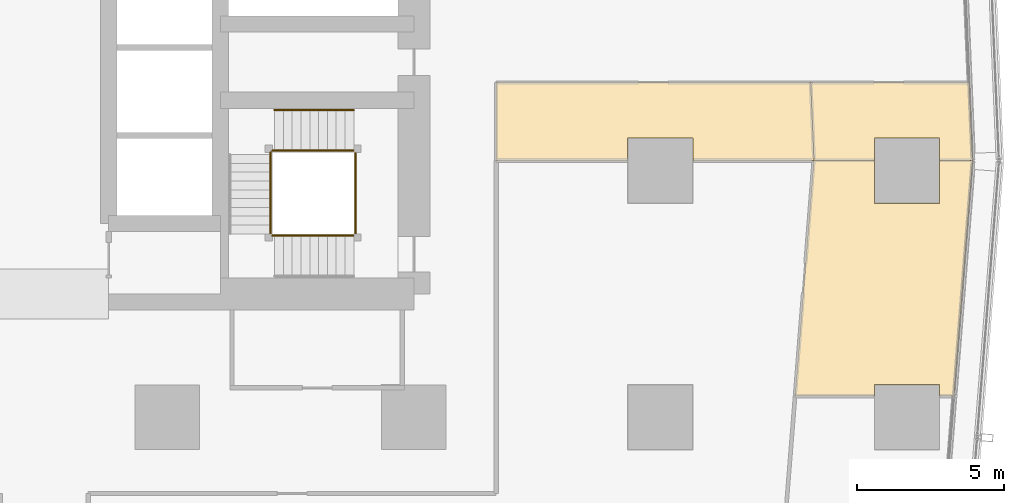
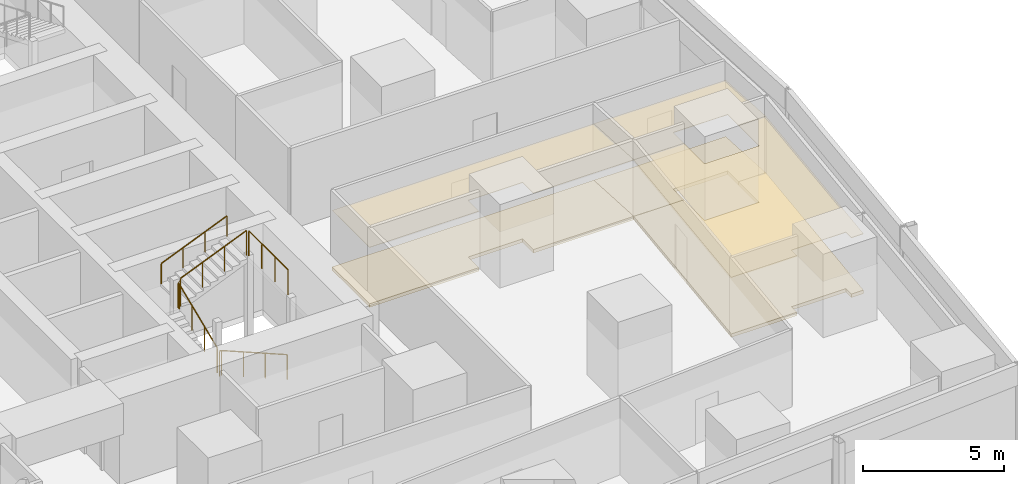
# One storey, part 39 of 44: 8 railings, 6 coverings.
"""IFC4 building model written with IfcOpenShell, lengths in metres."""

from ifc_helpers import new_model, si_unit, direction, frame, origin, origin_2d, place, context, subcontext, project, spatial, polyline, circle, outline, extrude, material, layer, layer_set, type_object, element, save


model = new_model("IFC4")

# Units and contexts
model_context = context("Model", 3, precision=1e-05, world=origin(), true_north=direction((0.0, 1.0)))
body_context = subcontext(model_context, "Body", "Model", "MODEL_VIEW")
ifc_project = project(units=[si_unit("LENGTHUNIT", "METRE"), si_unit("AREAUNIT", "SQUARE_METRE"), si_unit("VOLUMEUNIT", "CUBIC_METRE"), si_unit("PLANEANGLEUNIT", "RADIAN"), si_unit("MASSUNIT", "GRAM", prefix="KILO")], contexts=[model_context])

# Site, building, storey
site_placement = place(None, origin())
site = spatial("IfcSite", under=ifc_project, at=site_placement, CompositionType="ELEMENT")
building_placement = place(site_placement, origin())
building = spatial("IfcBuilding", under=site, at=building_placement, Name="Rekha Terrace Tower", CompositionType="ELEMENT")
storey_placement = place(building_placement, frame((0.0, 0.0, 66.64990234375)))
storey = spatial("IfcBuildingStorey", under=building, at=storey_placement, Name="L16", CompositionType="ELEMENT", Elevation=66.64990234375)

# Coverings
ifc_material_1 = material(Name="Mineral fibre tile in exposed grid", Category="finish")
ifc_layer_1 = layer(ifc_material_1, 0.02001953125)
ifc_layer_set_1 = layer_set([ifc_layer_1], Name="Mineral fibre tile in exposed grid")
covering_type_1 = type_object("IfcCoveringType", Name="CL1 600x1200 office grid ceiling", PredefinedType="CEILING", material=ifc_layer_set_1)
covering_1_placement = place(storey_placement, frame((0.0, 0.0, 2.580078125)))
element("IfcCovering", 1, at=covering_1_placement, inside=storey, type_object=covering_type_1, Name="Ceiling L16-05", PredefinedType="CEILING", context=body_context, shape_type="SweptSolid", body=[
    extrude(outline(polyline([(68.31494140625, 17.9150390625), (68.31494140625, 17.52392578125), (68.803955078125, 17.52392578125), (69.44091796875, 25.551025390625), (68.31494140625, 25.551025390625), (68.31494140625, 24.0849609375), (66.0849609375, 24.0849609375), (66.0849609375, 25.551025390625), (64.02392578125, 25.551025390625), (63.386962890625, 17.52392578125), (66.0849609375, 17.52392578125), (66.0849609375, 17.9150390625), (68.31494140625, 17.9150390625)])), origin(), (0.0, 0.0, 1.0), 0.02001953125),
])
covering_2_placement = place(storey_placement, frame((0.0, 0.0, 2.580078125)))
element("IfcCovering", 2, at=covering_2_placement, inside=storey, type_object=covering_type_1, Name="Ceiling L16-23", PredefinedType="CEILING", context=body_context, shape_type="SweptSolid", body=[
    extrude(outline(polyline([(69.43701171875, 25.552001953125), (69.322998046875, 28.199951171875), (63.9189453125, 28.199951171875), (64.031982421875, 25.552001953125), (66.0849609375, 25.552001953125), (66.0849609375, 26.31494140625), (68.31494140625, 26.31494140625), (68.31494140625, 25.552001953125), (69.43701171875, 25.552001953125)])), origin(), (0.0, 0.0, 1.0), 0.02001953125),
])
covering_3_placement = place(storey_placement, frame((0.0, 0.0, 2.580078125)))
element("IfcCovering", 3, at=covering_3_placement, inside=storey, type_object=covering_type_1, Name="Ceiling L16-24", PredefinedType="CEILING", context=body_context, shape_type="SweptSolid", body=[
    extrude(outline(polyline([(59.9150390625, 26.31494140625), (59.9150390625, 25.552001953125), (64.031982421875, 25.552001953125), (63.9189453125, 28.199951171875), (53.199951171875, 28.199951171875), (53.199951171875, 25.552001953125), (57.68505859375, 25.552001953125), (57.68505859375, 26.31494140625), (59.9150390625, 26.31494140625)])), origin(), (0.0, 0.0, 1.0), 0.02001953125),
])

# Railings
ifc_material_2 = material(Name="Stainless steel balustrade", Category="steel")
railing_type_1 = type_object("IfcRailingType", Name="GR1 1100 stair guard", PredefinedType="GUARDRAIL", material=ifc_material_2)
railing_1_placement = place(storey_placement, frame((48.35009765625, 22.989990234375, 0.125)))
element("IfcRailing", 4, at=railing_1_placement, inside=storey, type_object=railing_type_1, Name="Guard ST3 L16 flight 1", PredefinedType="GUARDRAIL", context=body_context, shape_type="SweptSolid", body=[
    extrude(circle(Radius=0.02392578125, at=origin_2d()), frame((0.0, 0.0, 1.076171875), z_axis=(-0.923086799901, 0.0, 0.38459167938), x_axis=(0.0, -1.0, 0.0)), (0.0, 0.0, 1.0), 2.92529296875),
    extrude(circle(Radius=0.02099609375, at=origin_2d()), origin(), (0.0, 0.0, 1.0), 1.052001953125),
    extrude(circle(Radius=0.02099609375, at=origin_2d()), frame((-0.900146484375, 0.0, 0.375)), (0.0, 0.0, 1.0), 1.052001953125),
    extrude(circle(Radius=0.02099609375, at=origin_2d()), frame((-1.800048828125, 0.0, 0.75)), (0.0, 0.0, 1.0), 1.052001953125),
    extrude(circle(Radius=0.02099609375, at=origin_2d()), frame((-2.7001953125, 0.0, 1.125)), (0.0, 0.0, 1.0), 1.052001953125),
])
railing_2_placement = place(storey_placement, frame((45.514892578125, 23.050048828125, 1.375)))
element("IfcRailing", 5, at=railing_2_placement, inside=storey, type_object=railing_type_1, Name="Guard ST3 L16 flight 2", PredefinedType="GUARDRAIL", context=body_context, shape_type="SweptSolid", body=[
    extrude(circle(Radius=0.02392578125, at=origin_2d()), frame((0.0, 0.0, 1.076171875), z_axis=(0.0, 0.923074453586, 0.384621311341), x_axis=(-1.0, 0.0, 0.0)), (0.0, 0.0, 1.0), 2.925048828125),
    extrude(circle(Radius=0.02099609375, at=origin_2d()), origin(), (0.0, 0.0, 1.0), 1.052001953125),
    extrude(circle(Radius=0.02099609375, at=origin_2d()), frame((0.0, 0.89990234375, 0.375)), (0.0, 0.0, 1.0), 1.052001953125),
    extrude(circle(Radius=0.02099609375, at=origin_2d()), frame((0.0, 1.800048828125, 0.75)), (0.0, 0.0, 1.0), 1.052001953125),
    extrude(circle(Radius=0.02099609375, at=origin_2d()), frame((0.0, 2.699951171875, 1.125)), (0.0, 0.0, 1.0), 1.052001953125),
])
railing_3_placement = place(storey_placement, frame((45.64990234375, 25.885009765625, 2.625)))
element("IfcRailing", 6, at=railing_3_placement, inside=storey, type_object=railing_type_1, Name="Guard ST3 L16 flight 3", PredefinedType="GUARDRAIL", context=body_context, shape_type="SweptSolid", body=[
    extrude(circle(Radius=0.02392578125, at=origin_2d()), frame((0.0, 0.0, 1.076171875), z_axis=(0.923086799901, 0.0, 0.38459167938), x_axis=(0.0, 1.0, 0.0)), (0.0, 0.0, 1.0), 2.92529296875),
    extrude(circle(Radius=0.02099609375, at=origin_2d()), origin(), (0.0, 0.0, 1.0), 1.052001953125),
    extrude(circle(Radius=0.02099609375, at=origin_2d()), frame((0.900146484375, 0.0, 0.375)), (0.0, 0.0, 1.0), 1.052001953125),
    extrude(circle(Radius=0.02099609375, at=origin_2d()), frame((1.800048828125, 0.0, 0.75)), (0.0, 0.0, 1.0), 1.052001953125),
    extrude(circle(Radius=0.02099609375, at=origin_2d()), frame((2.7001953125, 0.0, 1.125)), (0.0, 0.0, 1.0), 1.052001953125),
])
railing_4_placement = place(storey_placement, frame((45.64990234375, 22.989990234375, 1.25)))
element("IfcRailing", 7, at=railing_4_placement, inside=storey, type_object=railing_type_1, Name="Guard ST3 L16 landing 1", PredefinedType="GUARDRAIL", context=body_context, shape_type="SweptSolid", body=[
    extrude(circle(Radius=0.02392578125, at=origin_2d()), frame((0.0, 0.0, 1.076171875), z_axis=(-1.0, 0.0, 0.0), x_axis=(0.0, -1.0, 0.0)), (0.0, 0.0, 1.0), 0.074951171875),
    extrude(circle(Radius=0.02099609375, at=origin_2d()), origin(), (0.0, 0.0, 1.0), 1.052001953125),
    extrude(circle(Radius=0.02099609375, at=origin_2d()), frame((-0.074951171875, 0.0, 0.0)), (0.0, 0.0, 1.0), 1.052001953125),
])
railing_5_placement = place(storey_placement, frame((45.514892578125, 25.75, 2.5)))
element("IfcRailing", 8, at=railing_5_placement, inside=storey, type_object=railing_type_1, Name="Guard ST3 L16 landing 2", PredefinedType="GUARDRAIL", context=body_context, shape_type="SweptSolid", body=[
    extrude(circle(Radius=0.02392578125, at=origin_2d()), frame((0.0, 0.0, 1.076171875), z_axis=(0.0, 1.0, 0.0), x_axis=(-1.0, 0.0, 0.0)), (0.0, 0.0, 1.0), 0.074951171875),
    extrude(circle(Radius=0.02099609375, at=origin_2d()), origin(), (0.0, 0.0, 1.0), 1.052001953125),
    extrude(circle(Radius=0.02099609375, at=origin_2d()), frame((0.0, 0.074951171875, 0.0)), (0.0, 0.0, 1.0), 1.052001953125),
])
railing_6_placement = place(storey_placement, frame((45.64990234375, 25.885009765625, 2.5)))
element("IfcRailing", 9, at=railing_6_placement, inside=storey, type_object=railing_type_1, Name="Guard ST3 L16 landing 3", PredefinedType="GUARDRAIL", context=body_context, shape_type="SweptSolid", body=[
    extrude(circle(Radius=0.02392578125, at=origin_2d()), frame((0.0, 0.0, 1.076171875), z_axis=(-1.0, 0.0, 0.0), x_axis=(0.0, -1.0, 0.0)), (0.0, 0.0, 1.0), 0.074951171875),
    extrude(circle(Radius=0.02099609375, at=origin_2d()), origin(), (0.0, 0.0, 1.0), 1.052001953125),
    extrude(circle(Radius=0.02099609375, at=origin_2d()), frame((-0.074951171875, 0.0, 0.0)), (0.0, 0.0, 1.0), 1.052001953125),
])
railing_7_placement = place(storey_placement, frame((48.409912109375, 23.050048828125, 3.75)))
element("IfcRailing", 10, at=railing_7_placement, inside=storey, type_object=railing_type_1, Name="Guard ST3 L16 landing 4", PredefinedType="GUARDRAIL", context=body_context, shape_type="SweptSolid", body=[
    extrude(circle(Radius=0.02392578125, at=origin_2d()), frame((0.0, 0.0, 1.076171875), z_axis=(0.0, 1.0, 0.0), x_axis=(-1.0, 0.0, 0.0)), (0.0, 0.0, 1.0), 2.77490234375),
    extrude(circle(Radius=0.02099609375, at=origin_2d()), origin(), (0.0, 0.0, 1.0), 1.052001953125),
    extrude(circle(Radius=0.02099609375, at=origin_2d()), frame((0.0, 0.925048828125, 0.0)), (0.0, 0.0, 1.0), 1.052001953125),
    extrude(circle(Radius=0.02099609375, at=origin_2d()), frame((0.0, 1.849853515625, 0.0)), (0.0, 0.0, 1.0), 1.052001953125),
    extrude(circle(Radius=0.02099609375, at=origin_2d()), frame((0.0, 2.77490234375, 0.0)), (0.0, 0.0, 1.0), 1.052001953125),
])
ifc_material_3 = material(Name="Stainless steel tube", Category="steel")
railing_type_2 = type_object("IfcRailingType", Name="HR1 900 stair handrail", PredefinedType="HANDRAIL", material=ifc_material_3)
railing_8_placement = place(storey_placement, frame((45.64990234375, 27.264892578125, 2.625)))
element("IfcRailing", 11, at=railing_8_placement, inside=storey, type_object=railing_type_2, Name="Handrail ST3 L16 flight 3", PredefinedType="HANDRAIL", context=body_context, shape_type="SweptSolid", body=[
    extrude(circle(Radius=0.02392578125, at=origin_2d()), frame((0.0, 0.0, 0.8759765625), z_axis=(0.923086799901, 0.0, 0.38459167938), x_axis=(0.0, 1.0, 0.0)), (0.0, 0.0, 1.0), 2.92529296875),
    extrude(circle(Radius=0.02099609375, at=origin_2d()), origin(), (0.0, 0.0, 1.0), 0.851806640625),
    extrude(circle(Radius=0.02099609375, at=origin_2d()), frame((0.900146484375, 0.0, 0.375)), (0.0, 0.0, 1.0), 0.851806640625),
    extrude(circle(Radius=0.02099609375, at=origin_2d()), frame((1.800048828125, 0.0, 0.75)), (0.0, 0.0, 1.0), 0.851806640625),
    extrude(circle(Radius=0.02099609375, at=origin_2d()), frame((2.7001953125, 0.0, 1.125)), (0.0, 0.0, 1.0), 0.851806640625),
])

# Coverings
ifc_material_4 = material(Name="Calcium sulphate panels on steel pedestals", Category="steel")
ifc_layer_2 = layer(ifc_material_4, 0.14990234375)
ifc_layer_set_2 = layer_set([ifc_layer_2], Name="Calcium sulphate panels on steel pedestals")
covering_type_2 = type_object("IfcCoveringType", Name="RF1 150 raised access floor", PredefinedType="FLOORING", material=ifc_layer_set_2)
covering_4_placement = place(storey_placement, origin())
element("IfcCovering", 12, at=covering_4_placement, inside=storey, type_object=covering_type_2, Name="Raised floor L16-05", PredefinedType="FLOORING", context=body_context, shape_type="SweptSolid", body=[
    extrude(outline(polyline([(68.31494140625, 17.9150390625), (68.31494140625, 17.52392578125), (68.803955078125, 17.52392578125), (69.44091796875, 25.551025390625), (68.31494140625, 25.551025390625), (68.31494140625, 24.0849609375), (66.0849609375, 24.0849609375), (66.0849609375, 25.551025390625), (64.02392578125, 25.551025390625), (63.386962890625, 17.52392578125), (66.0849609375, 17.52392578125), (66.0849609375, 17.9150390625), (68.31494140625, 17.9150390625)])), origin(), (0.0, 0.0, 1.0), 0.150146484375),
])
covering_5_placement = place(storey_placement, origin())
element("IfcCovering", 13, at=covering_5_placement, inside=storey, type_object=covering_type_2, Name="Raised floor L16-23", PredefinedType="FLOORING", context=body_context, shape_type="SweptSolid", body=[
    extrude(outline(polyline([(69.43701171875, 25.552001953125), (69.322998046875, 28.199951171875), (63.9189453125, 28.199951171875), (64.031982421875, 25.552001953125), (66.0849609375, 25.552001953125), (66.0849609375, 26.31494140625), (68.31494140625, 26.31494140625), (68.31494140625, 25.552001953125), (69.43701171875, 25.552001953125)])), origin(), (0.0, 0.0, 1.0), 0.150146484375),
])
covering_6_placement = place(storey_placement, origin())
element("IfcCovering", 14, at=covering_6_placement, inside=storey, type_object=covering_type_2, Name="Raised floor L16-24", PredefinedType="FLOORING", context=body_context, shape_type="SweptSolid", body=[
    extrude(outline(polyline([(59.9150390625, 26.31494140625), (59.9150390625, 25.552001953125), (64.031982421875, 25.552001953125), (63.9189453125, 28.199951171875), (53.199951171875, 28.199951171875), (53.199951171875, 25.552001953125), (57.68505859375, 25.552001953125), (57.68505859375, 26.31494140625), (59.9150390625, 26.31494140625)])), origin(), (0.0, 0.0, 1.0), 0.150146484375),
])

save(model, "model.ifc")
